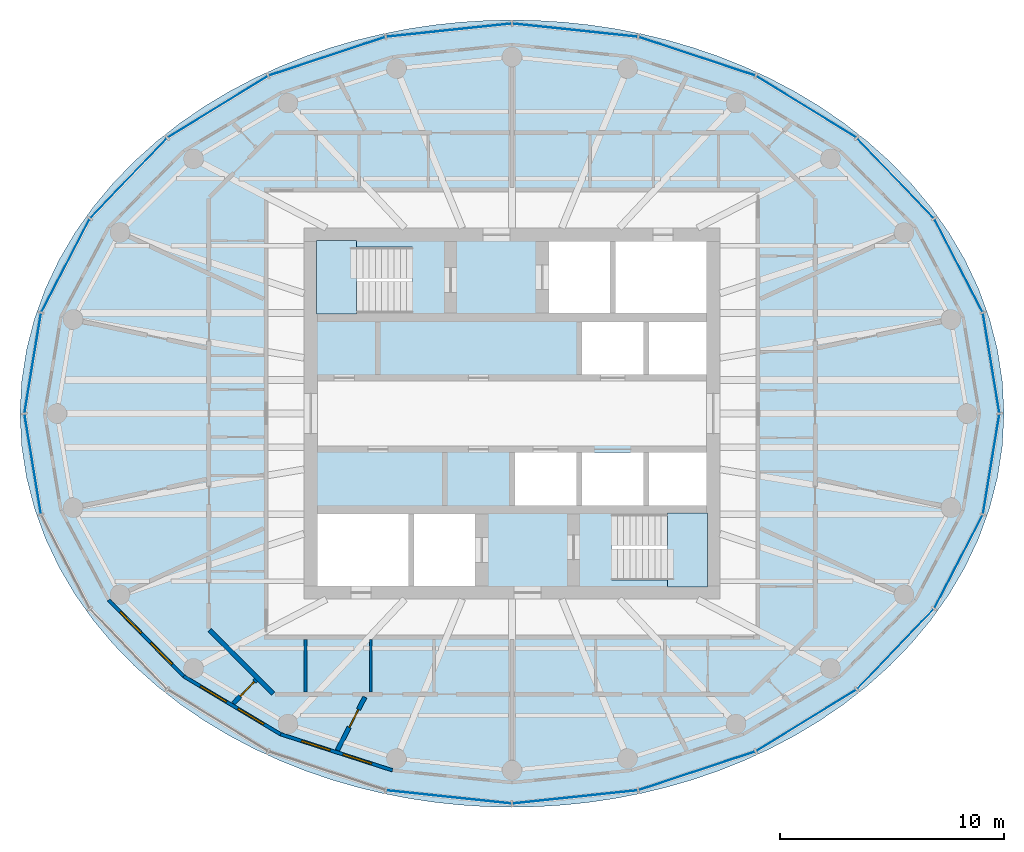
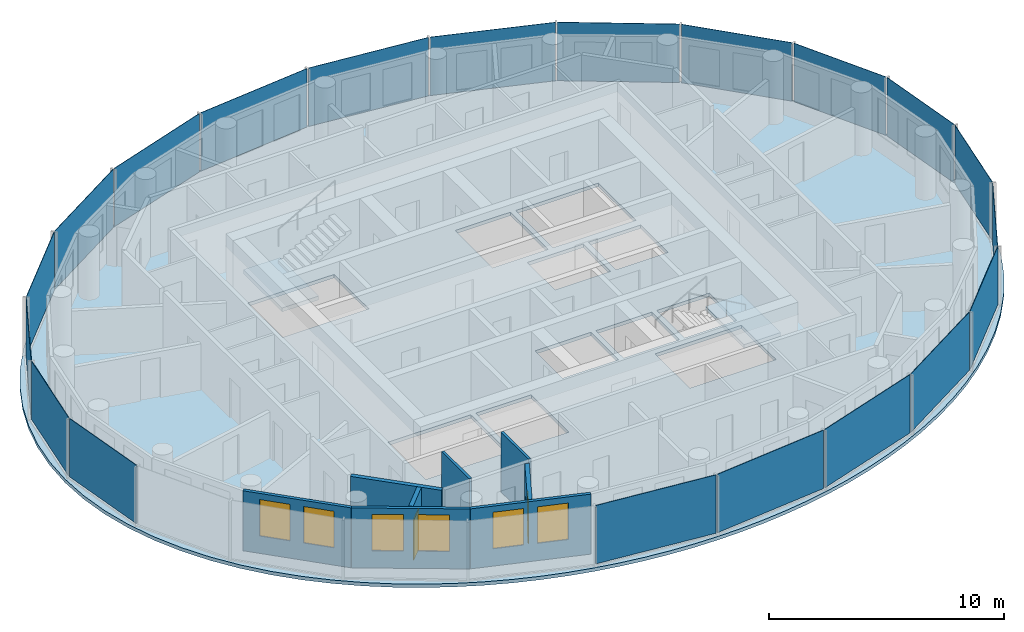
# One storey, part 4 of 11: 20 plates, 8 walls, 6 windows, 3 slabs, 2 doors, 8 openings, 6 elements without a shape of their own.
"""IFC4 building model written with IfcOpenShell, lengths in metres."""

from ifc_helpers import new_model, si_unit, direction, frame, frame_2d, origin, origin_2d, place, context, subcontext, project, spatial, polyline, rectangle, outline, extrude, material, layer, layer_set, type_object, element, fill, aggregate, save


model = new_model("IFC4")

# Units and contexts
model_context = context("Model", 3, precision=1e-05, world=origin(), true_north=direction((0.0, 1.0)))
body_context = subcontext(model_context, "Body", "Model", "MODEL_VIEW")
ifc_project = project(units=[si_unit("LENGTHUNIT", "METRE"), si_unit("AREAUNIT", "SQUARE_METRE"), si_unit("VOLUMEUNIT", "CUBIC_METRE"), si_unit("PLANEANGLEUNIT", "RADIAN"), si_unit("MASSUNIT", "GRAM", prefix="KILO")], contexts=[model_context])

# Site, building, storey
site_placement = place(None, origin())
site = spatial("IfcSite", under=ifc_project, at=site_placement, CompositionType="ELEMENT")
building_placement = place(site_placement, origin())
building = spatial("IfcBuilding", under=site, at=building_placement, Name="Hankou Lantern Tower", CompositionType="ELEMENT")
storey_placement = place(building_placement, frame((0.0, 0.0, 225.89990234375)))
storey = spatial("IfcBuildingStorey", under=building, at=storey_placement, Name="L61", CompositionType="ELEMENT", Elevation=225.89990234375)

# Curtain wall, plates
ifc_material_1 = material(Name="Glass, dark grey tinted laminated", Category="glass")
curtain_wall_type = type_object("IfcCurtainWallType", Name="CWD OUTER SKIN SUITE", PredefinedType="USERDEFINED", material=ifc_material_1)
curtain_wall_1_placement = place(storey_placement, origin())
curtain_wall_1 = element("IfcCurtainWall", 1, at=curtain_wall_1_placement, inside=storey, type_object=curtain_wall_type, Name="CWD L61 OS1", ObjectType="OUTER SKIN SUITE", PredefinedType="USERDEFINED")
ifc_material_2 = material(Name="Glass, dark grey tinted laminated", Category="glass")
ifc_layer_1 = layer(ifc_material_2, 0.02392578125)
ifc_layer_set_1 = layer_set([ifc_layer_1], Name="Glass, dark grey tinted laminated")
plate_type = type_object("IfcPlateType", Name="PN1 OUTER SKIN GLASS PANEL", PredefinedType="CURTAIN_PANEL", material=ifc_layer_set_1)
plate_1_placement = place(storey_placement, frame((21.4287109375, 2.2568359375, 0.080078125), z_axis=(0.0, 0.0, 1.0), x_axis=(-0.162381515188, 0.986728049427, 0.0)))
plate_1 = element("IfcPlate", 2, at=plate_1_placement, type_object=plate_type, Name="CWD glass panel 1", PredefinedType="CURTAIN_PANEL", context=body_context, shape_type="SweptSolid", body=[
    extrude(rectangle(XDim=4.49462890625, YDim=0.02392578125, at=origin_2d()), origin(), (0.0, 0.0, 1.0), 3.0400390625),
])
plate_2_placement = place(storey_placement, frame((19.96826171875, 6.616943359375, 0.080078125), z_axis=(0.0, 0.0, 1.0), x_axis=(-0.459791091957, 0.888027112062, 0.0)))
plate_2 = element("IfcPlate", 3, at=plate_2_placement, type_object=plate_type, Name="CWD glass panel 2", PredefinedType="CURTAIN_PANEL", context=body_context, shape_type="SweptSolid", body=[
    extrude(rectangle(XDim=4.656494140625, YDim=0.02392578125, at=origin_2d()), origin(), (0.0, 0.0, 1.0), 3.0400390625),
])
plate_3_placement = place(storey_placement, frame((17.147216796875, 10.52587890625, 0.080078125), z_axis=(0.0, 0.0, 1.0), x_axis=(-0.692215809936, 0.721690565599, 0.0)))
plate_3 = element("IfcPlate", 4, at=plate_3_placement, type_object=plate_type, Name="CWD glass panel 3", PredefinedType="CURTAIN_PANEL", context=body_context, shape_type="SweptSolid", body=[
    extrude(rectangle(XDim=4.9248046875, YDim=0.02392578125, at=origin_2d()), origin(), (0.0, 0.0, 1.0), 3.0400390625),
])
plate_4_placement = place(storey_placement, frame((13.157470703125, 13.7177734375, 0.080078125), z_axis=(0.0, 0.0, 1.0), x_axis=(-0.852237151549, 0.523155653242, 0.0)))
plate_4 = element("IfcPlate", 5, at=plate_4_placement, type_object=plate_type, Name="CWD glass panel 4", PredefinedType="CURTAIN_PANEL", context=body_context, shape_type="SweptSolid", body=[
    extrude(rectangle(XDim=5.2177734375, YDim=0.02392578125, at=origin_2d()), origin(), (0.0, 0.0, 1.0), 3.0400390625),
])
plate_5_placement = place(storey_placement, frame((8.271240234375, 15.974609375, 0.080078125), z_axis=(0.0, 0.0, 1.0), x_axis=(-0.949240677293, 0.31455068999, 0.0)))
plate_5 = element("IfcPlate", 6, at=plate_5_placement, type_object=plate_type, Name="CWD glass panel 5", PredefinedType="CURTAIN_PANEL", context=body_context, shape_type="SweptSolid", body=[
    extrude(rectangle(XDim=5.458984375, YDim=0.02392578125, at=origin_2d()), origin(), (0.0, 0.0, 1.0), 3.0400390625),
])
plate_6_placement = place(storey_placement, frame((2.821044921875, 17.142822265625, 0.080078125), z_axis=(0.0, 0.0, 1.0), x_axis=(-0.994499359107, 0.104742659579, 0.0)))
plate_6 = element("IfcPlate", 7, at=plate_6_placement, type_object=plate_type, Name="CWD glass panel 6", PredefinedType="CURTAIN_PANEL", context=body_context, shape_type="SweptSolid", body=[
    extrude(rectangle(XDim=5.593505859375, YDim=0.02392578125, at=origin_2d()), origin(), (0.0, 0.0, 1.0), 3.0400390625),
])
aggregate(curtain_wall_1, [plate_1, plate_2, plate_3, plate_4, plate_5, plate_6])

curtain_wall_2_placement = place(storey_placement, origin())
curtain_wall_2 = element("IfcCurtainWall", 8, at=curtain_wall_2_placement, inside=storey, type_object=curtain_wall_type, Name="CWD L61 OS2", ObjectType="OUTER SKIN SUITE", PredefinedType="USERDEFINED")
plate_7_placement = place(storey_placement, frame((-2.821044921875, 17.142822265625, 0.080078125), z_axis=(0.0, 0.0, 1.0), x_axis=(-0.994499359107, -0.104742659579, 0.0)))
plate_7 = element("IfcPlate", 9, at=plate_7_placement, type_object=plate_type, Name="CWD glass panel 1", PredefinedType="CURTAIN_PANEL", context=body_context, shape_type="SweptSolid", body=[
    extrude(rectangle(XDim=5.593505859375, YDim=0.02392578125, at=origin_2d()), origin(), (0.0, 0.0, 1.0), 3.0400390625),
])
plate_8_placement = place(storey_placement, frame((-8.271240234375, 15.974609375, 0.080078125), z_axis=(0.0, 0.0, 1.0), x_axis=(-0.949240677293, -0.31455068999, 0.0)))
plate_8 = element("IfcPlate", 10, at=plate_8_placement, type_object=plate_type, Name="CWD glass panel 2", PredefinedType="CURTAIN_PANEL", context=body_context, shape_type="SweptSolid", body=[
    extrude(rectangle(XDim=5.458984375, YDim=0.02392578125, at=origin_2d()), origin(), (0.0, 0.0, 1.0), 3.0400390625),
])
plate_9_placement = place(storey_placement, frame((-13.157470703125, 13.7177734375, 0.080078125), z_axis=(0.0, 0.0, 1.0), x_axis=(-0.852237151549, -0.523155653242, 0.0)))
plate_9 = element("IfcPlate", 11, at=plate_9_placement, type_object=plate_type, Name="CWD glass panel 3", PredefinedType="CURTAIN_PANEL", context=body_context, shape_type="SweptSolid", body=[
    extrude(rectangle(XDim=5.2177734375, YDim=0.02392578125, at=origin_2d()), origin(), (0.0, 0.0, 1.0), 3.0400390625),
])
plate_10_placement = place(storey_placement, frame((-17.147216796875, 10.52587890625, 0.080078125), z_axis=(0.0, 0.0, 1.0), x_axis=(-0.692215809936, -0.721690565599, 0.0)))
plate_10 = element("IfcPlate", 12, at=plate_10_placement, type_object=plate_type, Name="CWD glass panel 4", PredefinedType="CURTAIN_PANEL", context=body_context, shape_type="SweptSolid", body=[
    extrude(rectangle(XDim=4.9248046875, YDim=0.02392578125, at=origin_2d()), origin(), (0.0, 0.0, 1.0), 3.0400390625),
])
plate_11_placement = place(storey_placement, frame((-19.96826171875, 6.616943359375, 0.080078125), z_axis=(0.0, 0.0, 1.0), x_axis=(-0.459791091957, -0.888027112062, 0.0)))
plate_11 = element("IfcPlate", 13, at=plate_11_placement, type_object=plate_type, Name="CWD glass panel 5", PredefinedType="CURTAIN_PANEL", context=body_context, shape_type="SweptSolid", body=[
    extrude(rectangle(XDim=4.656494140625, YDim=0.02392578125, at=origin_2d()), origin(), (0.0, 0.0, 1.0), 3.0400390625),
])
plate_12_placement = place(storey_placement, frame((-21.4287109375, 2.2568359375, 0.080078125), z_axis=(0.0, 0.0, 1.0), x_axis=(-0.162381515188, -0.986728049427, 0.0)))
plate_12 = element("IfcPlate", 14, at=plate_12_placement, type_object=plate_type, Name="CWD glass panel 6", PredefinedType="CURTAIN_PANEL", context=body_context, shape_type="SweptSolid", body=[
    extrude(rectangle(XDim=4.49462890625, YDim=0.02392578125, at=origin_2d()), origin(), (0.0, 0.0, 1.0), 3.0400390625),
])
aggregate(curtain_wall_2, [plate_7, plate_8, plate_9, plate_10, plate_11, plate_12])

curtain_wall_3_placement = place(storey_placement, origin())
curtain_wall_3 = element("IfcCurtainWall", 15, at=curtain_wall_3_placement, inside=storey, type_object=curtain_wall_type, Name="CWD L61 OS3", ObjectType="OUTER SKIN SUITE", PredefinedType="USERDEFINED")
plate_13_placement = place(storey_placement, frame((-21.4287109375, -2.2568359375, 0.080078125), z_axis=(0.0, 0.0, 1.0), x_axis=(0.162381515188, -0.986728049427, 0.0)))
plate_13 = element("IfcPlate", 16, at=plate_13_placement, type_object=plate_type, Name="CWD glass panel 1", PredefinedType="CURTAIN_PANEL", context=body_context, shape_type="SweptSolid", body=[
    extrude(rectangle(XDim=4.49462890625, YDim=0.02392578125, at=origin_2d()), origin(), (0.0, 0.0, 1.0), 3.0400390625),
])
plate_14_placement = place(storey_placement, frame((-2.821044921875, -17.142822265625, 0.080078125), z_axis=(0.0, 0.0, 1.0), x_axis=(0.994499359107, -0.104742659579, 0.0)))
plate_14 = element("IfcPlate", 17, at=plate_14_placement, type_object=plate_type, Name="CWD glass panel 6", PredefinedType="CURTAIN_PANEL", context=body_context, shape_type="SweptSolid", body=[
    extrude(rectangle(XDim=5.593505859375, YDim=0.02392578125, at=origin_2d()), origin(), (0.0, 0.0, 1.0), 3.0400390625),
])
aggregate(curtain_wall_3, [plate_13, plate_14])

curtain_wall_4_placement = place(storey_placement, origin())
curtain_wall_4 = element("IfcCurtainWall", 18, at=curtain_wall_4_placement, inside=storey, type_object=curtain_wall_type, Name="CWD L61 OS4", ObjectType="OUTER SKIN SUITE", PredefinedType="USERDEFINED")
plate_15_placement = place(storey_placement, frame((2.821044921875, -17.142822265625, 0.080078125), z_axis=(0.0, 0.0, 1.0), x_axis=(0.994499359107, 0.104742659579, 0.0)))
plate_15 = element("IfcPlate", 19, at=plate_15_placement, type_object=plate_type, Name="CWD glass panel 1", PredefinedType="CURTAIN_PANEL", context=body_context, shape_type="SweptSolid", body=[
    extrude(rectangle(XDim=5.593505859375, YDim=0.02392578125, at=origin_2d()), origin(), (0.0, 0.0, 1.0), 3.0400390625),
])
plate_16_placement = place(storey_placement, frame((8.271240234375, -15.974609375, 0.080078125), z_axis=(0.0, 0.0, 1.0), x_axis=(0.949240677293, 0.31455068999, 0.0)))
plate_16 = element("IfcPlate", 20, at=plate_16_placement, type_object=plate_type, Name="CWD glass panel 2", PredefinedType="CURTAIN_PANEL", context=body_context, shape_type="SweptSolid", body=[
    extrude(rectangle(XDim=5.458984375, YDim=0.02392578125, at=origin_2d()), origin(), (0.0, 0.0, 1.0), 3.0400390625),
])
plate_17_placement = place(storey_placement, frame((13.157470703125, -13.7177734375, 0.080078125), z_axis=(0.0, 0.0, 1.0), x_axis=(0.852237151549, 0.523155653242, 0.0)))
plate_17 = element("IfcPlate", 21, at=plate_17_placement, type_object=plate_type, Name="CWD glass panel 3", PredefinedType="CURTAIN_PANEL", context=body_context, shape_type="SweptSolid", body=[
    extrude(rectangle(XDim=5.2177734375, YDim=0.02392578125, at=origin_2d()), origin(), (0.0, 0.0, 1.0), 3.0400390625),
])
plate_18_placement = place(storey_placement, frame((17.147216796875, -10.52587890625, 0.080078125), z_axis=(0.0, 0.0, 1.0), x_axis=(0.692215809936, 0.721690565599, 0.0)))
plate_18 = element("IfcPlate", 22, at=plate_18_placement, type_object=plate_type, Name="CWD glass panel 4", PredefinedType="CURTAIN_PANEL", context=body_context, shape_type="SweptSolid", body=[
    extrude(rectangle(XDim=4.9248046875, YDim=0.02392578125, at=origin_2d()), origin(), (0.0, 0.0, 1.0), 3.0400390625),
])
plate_19_placement = place(storey_placement, frame((19.96826171875, -6.616943359375, 0.080078125), z_axis=(0.0, 0.0, 1.0), x_axis=(0.459791091957, 0.888027112062, 0.0)))
plate_19 = element("IfcPlate", 23, at=plate_19_placement, type_object=plate_type, Name="CWD glass panel 5", PredefinedType="CURTAIN_PANEL", context=body_context, shape_type="SweptSolid", body=[
    extrude(rectangle(XDim=4.656494140625, YDim=0.02392578125, at=origin_2d()), origin(), (0.0, 0.0, 1.0), 3.0400390625),
])
plate_20_placement = place(storey_placement, frame((21.4287109375, -2.2568359375, 0.080078125), z_axis=(0.0, 0.0, 1.0), x_axis=(0.162381515188, 0.986728049427, 0.0)))
plate_20 = element("IfcPlate", 24, at=plate_20_placement, type_object=plate_type, Name="CWD glass panel 6", PredefinedType="CURTAIN_PANEL", context=body_context, shape_type="SweptSolid", body=[
    extrude(rectangle(XDim=4.49462890625, YDim=0.02392578125, at=origin_2d()), origin(), (0.0, 0.0, 1.0), 3.0400390625),
])
aggregate(curtain_wall_4, [plate_15, plate_16, plate_17, plate_18, plate_19, plate_20])

# Slab
ifc_material_3 = material(Name="Concrete C50", Category="concrete")
ifc_layer_2 = layer(ifc_material_3, 0.179931640625)
ifc_layer_set_2 = layer_set([ifc_layer_2], Name="Concrete C50")
slab_type_1 = type_object("IfcSlabType", Name="S1 CONCRETE FLOOR SLAB 180", PredefinedType="FLOOR", material=ifc_layer_set_2)
slab_1_placement = place(storey_placement, frame((0.0, 0.0, -0.179931640625)))
element("IfcSlab", 25, at=slab_1_placement, inside=storey, type_object=slab_type_1, Name="Floor slab L61", PredefinedType="FLOOR", context=body_context, shape_type="SweptSolid", body=[
    extrude(outline(polyline([(22.0, 0.0), (21.926513671875, 1.437255859375), (21.7080078125, 2.85791015625), (21.349853515625, 4.246826171875), (20.861083984375, 5.589599609375), (20.252197265625, 6.874755859375), (19.53662109375, 8.09228515625), (18.727783203125, 9.235595703125), (17.83935546875, 10.299560546875), (16.88525390625, 11.2822265625), (15.877197265625, 12.18310546875), (14.82666015625, 13.002685546875), (13.743408203125, 13.743408203125), (12.63525390625, 14.40771484375), (11.509521484375, 14.999267578125), (10.37109375, 15.521728515625), (9.224853515625, 15.97802734375), (8.07373046875, 16.3720703125), (6.920166015625, 16.70654296875), (5.765625, 16.98486328125), (4.611083984375, 17.208984375), (3.457275390625, 17.38134765625), (2.304443359375, 17.503173828125), (1.152099609375, 17.575927734375), (0.0, 17.60009765625), (-1.152099609375, 17.575927734375), (-2.304443359375, 17.503173828125), (-3.457275390625, 17.38134765625), (-4.611083984375, 17.208984375), (-5.765625, 16.98486328125), (-6.920166015625, 16.70654296875), (-8.07373046875, 16.3720703125), (-9.224853515625, 15.97802734375), (-10.37109375, 15.521728515625), (-11.509521484375, 14.999267578125), (-12.63525390625, 14.40771484375), (-13.743408203125, 13.743408203125), (-14.82666015625, 13.002685546875), (-15.877197265625, 12.18310546875), (-16.88525390625, 11.2822265625), (-17.83935546875, 10.299560546875), (-18.727783203125, 9.235595703125), (-19.53662109375, 8.09228515625), (-20.252197265625, 6.874755859375), (-20.861083984375, 5.589599609375), (-21.349853515625, 4.246826171875), (-21.7080078125, 2.85791015625), (-21.926513671875, 1.437255859375), (-22.0, 0.0), (-21.926513671875, -1.437255859375), (-21.7080078125, -2.85791015625), (-21.349853515625, -4.246826171875), (-20.861083984375, -5.589599609375), (-20.252197265625, -6.874755859375), (-19.53662109375, -8.09228515625), (-18.727783203125, -9.235595703125), (-17.83935546875, -10.299560546875), (-16.88525390625, -11.2822265625), (-15.877197265625, -12.18310546875), (-14.82666015625, -13.002685546875), (-13.743408203125, -13.743408203125), (-12.63525390625, -14.40771484375), (-11.509521484375, -14.999267578125), (-10.37109375, -15.521728515625), (-9.224853515625, -15.97802734375), (-8.07373046875, -16.3720703125), (-6.920166015625, -16.70654296875), (-5.765625, -16.98486328125), (-4.611083984375, -17.208984375), (-3.457275390625, -17.38134765625), (-2.304443359375, -17.503173828125), (-1.152099609375, -17.575927734375), (0.0, -17.60009765625), (1.152099609375, -17.575927734375), (2.304443359375, -17.503173828125), (3.457275390625, -17.38134765625), (4.611083984375, -17.208984375), (5.765625, -16.98486328125), (6.920166015625, -16.70654296875), (8.07373046875, -16.3720703125), (9.224853515625, -15.97802734375), (10.37109375, -15.521728515625), (11.509521484375, -14.999267578125), (12.63525390625, -14.40771484375), (13.743408203125, -13.743408203125), (14.82666015625, -13.002685546875), (15.877197265625, -12.18310546875), (16.88525390625, -11.2822265625), (17.83935546875, -10.299560546875), (18.727783203125, -9.235595703125), (19.53662109375, -8.09228515625), (20.252197265625, -6.874755859375), (20.861083984375, -5.589599609375), (21.349853515625, -4.246826171875), (21.7080078125, -2.85791015625), (21.926513671875, -1.437255859375), (22.0, 0.0)]), holes=[polyline([(3.125, 4.10009765625), (5.875, 4.10009765625), (5.875, 1.75), (3.125, 1.75), (3.125, 4.10009765625)]), polyline([(6.125, 4.10009765625), (8.699951171875, 4.10009765625), (8.699951171875, 1.75), (6.125, 1.75), (6.125, 4.10009765625)]), polyline([(0.125, -1.75), (2.875, -1.75), (2.875, -4.10009765625), (0.125, -4.10009765625), (0.125, -1.75)]), polyline([(3.125, -1.75), (5.875, -1.75), (5.875, -4.10009765625), (3.125, -4.10009765625), (3.125, -1.75)]), polyline([(6.125, -1.75), (8.699951171875, -1.75), (8.699951171875, -4.10009765625), (6.125, -4.10009765625), (6.125, -1.75)]), polyline([(1.64990234375, 7.699951171875), (4.375, 7.699951171875), (4.375, 4.5), (1.64990234375, 4.5), (1.64990234375, 7.699951171875)]), polyline([(-4.375, -4.5), (-1.64990234375, -4.5), (-1.64990234375, -7.699951171875), (-4.375, -7.699951171875), (-4.375, -4.5)]), polyline([(-8.699951171875, 7.449951171875), (-4.449951171875, 7.449951171875), (-4.449951171875, 4.5), (-8.699951171875, 4.5), (-8.699951171875, 7.449951171875)]), polyline([(4.449951171875, -4.5), (8.699951171875, -4.5), (8.699951171875, -7.449951171875), (4.449951171875, -7.449951171875), (4.449951171875, -4.5)]), polyline([(4.625, 7.699951171875), (8.699951171875, 7.699951171875), (8.699951171875, 4.5), (4.625, 4.5), (4.625, 7.699951171875)]), polyline([(-8.699951171875, -4.5), (-4.625, -4.5), (-4.625, -7.699951171875), (-8.699951171875, -7.699951171875), (-8.699951171875, -4.5)])]), origin(), (0.0, 0.0, 1.0), 0.179931640625),
])

# Stair, slab
ifc_material_4 = material(Name="Concrete C40", Category="concrete")
stair_type = type_object("IfcStairType", Name="ST33 CORE STAIR 3300 RISE", PredefinedType="HALF_TURN_STAIR", material=ifc_material_4)
stair_1_placement = place(storey_placement, origin())
stair_1 = element("IfcStair", 26, at=stair_1_placement, inside=storey, type_object=stair_type, Name="Stair STA L61", PredefinedType="HALF_TURN_STAIR")
ifc_material_5 = material(Name="Concrete C40", Category="concrete")
ifc_layer_3 = layer(ifc_material_5, 0.199951171875)
ifc_layer_set_3 = layer_set([ifc_layer_3], Name="Concrete C40")
slab_type_2 = type_object("IfcSlabType", Name="SL1 STAIR LANDING 200", PredefinedType="LANDING", material=ifc_layer_set_3)
slab_2_placement = place(storey_placement, frame((0.0, 0.0, 1.37158203125)))
slab_2 = element("IfcSlab", 27, at=slab_2_placement, type_object=slab_type_2, Name="STA landing 1", PredefinedType="LANDING", context=body_context, shape_type="SweptSolid", body=[
    extrude(outline(polyline([(-8.75, 4.449951171875), (-6.949951171875, 4.449951171875), (-6.949951171875, 7.75), (-8.75, 7.75), (-8.75, 4.449951171875)])), origin(), (0.0, 0.0, 1.0), 0.199951171875),
])
aggregate(stair_1, [slab_2])

stair_2_placement = place(storey_placement, origin())
stair_2 = element("IfcStair", 28, at=stair_2_placement, inside=storey, type_object=stair_type, Name="Stair STB L61", PredefinedType="HALF_TURN_STAIR")
slab_3_placement = place(storey_placement, frame((0.0, 0.0, 1.37158203125)))
slab_3 = element("IfcSlab", 29, at=slab_3_placement, type_object=slab_type_2, Name="STB landing 1", PredefinedType="LANDING", context=body_context, shape_type="SweptSolid", body=[
    extrude(outline(polyline([(8.75, -4.449951171875), (6.949951171875, -4.449951171875), (6.949951171875, -7.75), (8.75, -7.75), (8.75, -4.449951171875)])), origin(), (0.0, 0.0, 1.0), 0.199951171875),
])
aggregate(stair_2, [slab_3])

# Wall, openings, windows
ifc_material_6 = material(Name="Aluminium spandrel panel on steel studs", Category="steel")
ifc_layer_4 = layer(ifc_material_6, 0.14990234375)
ifc_layer_set_4 = layer_set([ifc_layer_4], Name="Aluminium spandrel panel on steel studs")
wall_type_1 = type_object("IfcWallType", Name="EW1 INNER SKIN WALL 150", PredefinedType="ELEMENTEDWALL", material=ifc_layer_set_4)
wall_1_placement = place(storey_placement, frame((-18.03955078125, -8.33203125, 0.0), z_axis=(0.0, 0.0, 1.0), x_axis=(0.701527379618, -0.712642501993, 0.0)))
wall_1 = element("IfcWall", 30, at=wall_1_placement, inside=storey, type_object=wall_type_1, Name="Inner skin R15-R16 L61", PredefinedType="ELEMENTEDWALL", context=body_context, shape_type="SweptSolid", body=[
    extrude(rectangle(XDim=4.788330078125, YDim=0.14990234375, at=frame_2d((2.39404296875, 0.0))), origin(), (0.0, 0.0, 1.0), 3.1201171875),
])
opening_1_placement = place(wall_1_placement, frame((0.744140625, 0.0, 0.89990234375)))
opening_1 = element("IfcOpeningElement", 31, at=opening_1_placement, cuts=wall_1, Name="Opening W4", PredefinedType="OPENING", context=body_context, shape_type="SweptSolid", body=[
    extrude(rectangle(XDim=1.35009765625, YDim=1.89990234375, at=frame_2d((0.675048828125, 0.949951171875))), frame((0.0, 0.0849609375, 0.0), z_axis=(0.0, -1.0, 0.0), x_axis=(1.0, 0.0, 0.0)), (0.0, 0.0, 1.0), 0.169921875),
])
opening_2_placement = place(wall_1_placement, frame((2.694091796875, 0.0, 0.89990234375)))
opening_2 = element("IfcOpeningElement", 32, at=opening_2_placement, cuts=wall_1, Name="Opening W4", PredefinedType="OPENING", context=body_context, shape_type="SweptSolid", body=[
    extrude(rectangle(XDim=1.35009765625, YDim=1.89990234375, at=frame_2d((0.675048828125, 0.949951171875))), frame((0.0, 0.0849609375, 0.0), z_axis=(0.0, -1.0, 0.0), x_axis=(1.0, 0.0, 0.0)), (0.0, 0.0, 1.0), 0.169921875),
])
ifc_material_7 = material(Name="Aluminium framed double glazed window", Category="aluminium")
window_type = type_object("IfcWindowType", Name="W4 SUITE WINDOW 1350X1900", PartitioningType="DOUBLE_PANEL_VERTICAL", PredefinedType="WINDOW", material=ifc_material_7)
window_1_placement = place(opening_1_placement, origin())
window_1 = element("IfcWindow", 33, at=window_1_placement, inside=storey, type_object=window_type, Name="Window R15.1 L61", OverallHeight=1.89990234375, OverallWidth=1.35009765625, PartitioningType="SINGLE_PANEL", PredefinedType="WINDOW", context=body_context, shape_type="SweptSolid", body=[
    extrude(rectangle(XDim=1.35009765625, YDim=1.89990234375, at=frame_2d((0.675048828125, 0.949951171875))), frame((0.0, 0.030029296875, 0.0), z_axis=(0.0, -1.0, 0.0), x_axis=(1.0, 0.0, 0.0)), (0.0, 0.0, 1.0), 0.06005859375),
])
fill(opening_1, window_1)
window_2_placement = place(opening_2_placement, origin())
window_2 = element("IfcWindow", 34, at=window_2_placement, inside=storey, type_object=window_type, Name="Window R15.2 L61", OverallHeight=1.89990234375, OverallWidth=1.35009765625, PartitioningType="SINGLE_PANEL", PredefinedType="WINDOW", context=body_context, shape_type="SweptSolid", body=[
    extrude(rectangle(XDim=1.35009765625, YDim=1.89990234375, at=frame_2d((0.675048828125, 0.949951171875))), frame((0.0, 0.030029296875, 0.0), z_axis=(0.0, -1.0, 0.0), x_axis=(1.0, 0.0, 0.0)), (0.0, 0.0, 1.0), 0.06005859375),
])
fill(opening_2, window_2)

wall_2_placement = place(storey_placement, frame((-14.680419921875, -11.744384765625, 0.0), z_axis=(0.0, 0.0, 1.0), x_axis=(0.85822150553, -0.513279502265, 0.0)))
wall_2 = element("IfcWall", 35, at=wall_2_placement, inside=storey, type_object=wall_type_1, Name="Inner skin R16-R17 L61", PredefinedType="ELEMENTEDWALL", context=body_context, shape_type="SweptSolid", body=[
    extrude(rectangle(XDim=5.050048828125, YDim=0.14990234375, at=frame_2d((2.52490234375, 0.0))), origin(), (0.0, 0.0, 1.0), 3.1201171875),
])
opening_3_placement = place(wall_2_placement, frame((0.875, 0.0, 0.89990234375)))
opening_3 = element("IfcOpeningElement", 36, at=opening_3_placement, cuts=wall_2, Name="Opening W4", PredefinedType="OPENING", context=body_context, shape_type="SweptSolid", body=[
    extrude(rectangle(XDim=1.35009765625, YDim=1.89990234375, at=frame_2d((0.675048828125, 0.949951171875))), frame((0.0, 0.0849609375, 0.0), z_axis=(0.0, -1.0, 0.0), x_axis=(1.0, 0.0, 0.0)), (0.0, 0.0, 1.0), 0.169921875),
])
opening_4_placement = place(wall_2_placement, frame((2.824951171875, 0.0, 0.89990234375)))
opening_4 = element("IfcOpeningElement", 37, at=opening_4_placement, cuts=wall_2, Name="Opening W4", PredefinedType="OPENING", context=body_context, shape_type="SweptSolid", body=[
    extrude(rectangle(XDim=1.35009765625, YDim=1.89990234375, at=frame_2d((0.675048828125, 0.949951171875))), frame((0.0, 0.0849609375, 0.0), z_axis=(0.0, -1.0, 0.0), x_axis=(1.0, 0.0, 0.0)), (0.0, 0.0, 1.0), 0.169921875),
])
window_3_placement = place(opening_3_placement, origin())
window_3 = element("IfcWindow", 38, at=window_3_placement, inside=storey, type_object=window_type, Name="Window R16.1 L61", OverallHeight=1.89990234375, OverallWidth=1.35009765625, PartitioningType="SINGLE_PANEL", PredefinedType="WINDOW", context=body_context, shape_type="SweptSolid", body=[
    extrude(rectangle(XDim=1.35009765625, YDim=1.89990234375, at=frame_2d((0.675048828125, 0.949951171875))), frame((0.0, 0.030029296875, 0.0), z_axis=(0.0, -1.0, 0.0), x_axis=(1.0, 0.0, 0.0)), (0.0, 0.0, 1.0), 0.06005859375),
])
fill(opening_3, window_3)
window_4_placement = place(opening_4_placement, origin())
window_4 = element("IfcWindow", 39, at=window_4_placement, inside=storey, type_object=window_type, Name="Window R16.2 L61", OverallHeight=1.89990234375, OverallWidth=1.35009765625, PartitioningType="SINGLE_PANEL", PredefinedType="WINDOW", context=body_context, shape_type="SweptSolid", body=[
    extrude(rectangle(XDim=1.35009765625, YDim=1.89990234375, at=frame_2d((0.675048828125, 0.949951171875))), frame((0.0, 0.030029296875, 0.0), z_axis=(0.0, -1.0, 0.0), x_axis=(1.0, 0.0, 0.0)), (0.0, 0.0, 1.0), 0.06005859375),
])
fill(opening_4, window_4)

wall_3_placement = place(storey_placement, frame((-10.346435546875, -14.33642578125, 0.0), z_axis=(0.0, 0.0, 1.0), x_axis=(0.951644702515, -0.307200846638, 0.0)))
wall_3 = element("IfcWall", 40, at=wall_3_placement, inside=storey, type_object=wall_type_1, Name="Inner skin R17-R18 L61", PredefinedType="ELEMENTEDWALL", context=body_context, shape_type="SweptSolid", body=[
    extrude(rectangle(XDim=5.2578125, YDim=0.14990234375, at=frame_2d((2.62890625, 0.0))), origin(), (0.0, 0.0, 1.0), 3.1201171875),
])
opening_5_placement = place(wall_3_placement, frame((0.97900390625, 0.0, 0.89990234375)))
opening_5 = element("IfcOpeningElement", 41, at=opening_5_placement, cuts=wall_3, Name="Opening W4", PredefinedType="OPENING", context=body_context, shape_type="SweptSolid", body=[
    extrude(rectangle(XDim=1.35009765625, YDim=1.89990234375, at=frame_2d((0.675048828125, 0.949951171875))), frame((0.0, 0.0849609375, 0.0), z_axis=(0.0, -1.0, 0.0), x_axis=(1.0, 0.0, 0.0)), (0.0, 0.0, 1.0), 0.169921875),
])
opening_6_placement = place(wall_3_placement, frame((2.928955078125, 0.0, 0.89990234375)))
opening_6 = element("IfcOpeningElement", 42, at=opening_6_placement, cuts=wall_3, Name="Opening W4", PredefinedType="OPENING", context=body_context, shape_type="SweptSolid", body=[
    extrude(rectangle(XDim=1.35009765625, YDim=1.89990234375, at=frame_2d((0.675048828125, 0.949951171875))), frame((0.0, 0.0849609375, 0.0), z_axis=(0.0, -1.0, 0.0), x_axis=(1.0, 0.0, 0.0)), (0.0, 0.0, 1.0), 0.169921875),
])
window_5_placement = place(opening_5_placement, origin())
window_5 = element("IfcWindow", 43, at=window_5_placement, inside=storey, type_object=window_type, Name="Window R17.1 L61", OverallHeight=1.89990234375, OverallWidth=1.35009765625, PartitioningType="SINGLE_PANEL", PredefinedType="WINDOW", context=body_context, shape_type="SweptSolid", body=[
    extrude(rectangle(XDim=1.35009765625, YDim=1.89990234375, at=frame_2d((0.675048828125, 0.949951171875))), frame((0.0, 0.030029296875, 0.0), z_axis=(0.0, -1.0, 0.0), x_axis=(1.0, 0.0, 0.0)), (0.0, 0.0, 1.0), 0.06005859375),
])
fill(opening_5, window_5)
window_6_placement = place(opening_6_placement, origin())
window_6 = element("IfcWindow", 44, at=window_6_placement, inside=storey, type_object=window_type, Name="Window R17.2 L61", OverallHeight=1.89990234375, OverallWidth=1.35009765625, PartitioningType="SINGLE_PANEL", PredefinedType="WINDOW", context=body_context, shape_type="SweptSolid", body=[
    extrude(rectangle(XDim=1.35009765625, YDim=1.89990234375, at=frame_2d((0.675048828125, 0.949951171875))), frame((0.0, 0.030029296875, 0.0), z_axis=(0.0, -1.0, 0.0), x_axis=(1.0, 0.0, 0.0)), (0.0, 0.0, 1.0), 0.06005859375),
])
fill(opening_6, window_6)

# Walls
ifc_material_8 = material(Name="Masonry lightweight concrete block", Category="masonry")
ifc_layer_5 = layer(ifc_material_8, 0.1201171875)
ifc_layer_set_5 = layer_set([ifc_layer_5], Name="Masonry lightweight concrete block")
wall_type_2 = type_object("IfcWallType", Name="IW3 BATHROOM WALL 120", PredefinedType="PARTITIONING", material=ifc_layer_set_5)
for number, where, z_axis, x_axis, name in (
    (45, (-9.23193359375, -10.10009765625, 0.0), (0.0, 0.0, 1.0), (0.0, -1.0, 0.0), "Box wall 6104 2"),
    (46, (-6.31982421875, -10.10009765625, 0.0), (0.0, 0.0, 1.0), (0.0, -1.0, 0.0), "Box wall 6104 3"),
):
    element("IfcWall", number, at=place(storey_placement, frame(where, z_axis=z_axis, x_axis=x_axis)), inside=storey, type_object=wall_type_2, Name=name, PredefinedType="PARTITIONING", context=body_context, shape_type="SweptSolid", body=[
        extrude(rectangle(XDim=2.349853515625, YDim=0.1201171875, at=frame_2d((1.1748046875, 0.0))), origin(), (0.0, 0.0, 1.0), 3.1201171875),
    ])
ifc_material_9 = material(Name="Masonry lightweight concrete block", Category="masonry")
ifc_layer_6 = layer(ifc_material_9, 0.199951171875)
ifc_layer_set_6 = layer_set([ifc_layer_6], Name="Masonry lightweight concrete block")
wall_type_3 = type_object("IfcWallType", Name="IW6 SUITE PARTITION 200", PredefinedType="PARTITIONING", material=ifc_layer_set_6)
wall_4_placement = place(storey_placement, frame((-13.520751953125, -9.67919921875, 0.0), z_axis=(0.0, 0.0, 1.0), x_axis=(0.707106781187, -0.707106781187, 0.0)))
element("IfcWall", 47, at=wall_4_placement, inside=storey, type_object=wall_type_3, Name="Suite foyer wall 6104", PredefinedType="PARTITIONING", context=body_context, shape_type="SweptSolid", body=[
    extrude(rectangle(XDim=4.0185546875, YDim=0.199951171875, at=frame_2d((2.00927734375, 0.0))), origin(), (0.0, 0.0, 1.0), 3.1201171875),
])

# Wall, opening, door
wall_5_placement = place(storey_placement, frame((-11.44091796875, -11.900390625, 0.0), z_axis=(0.0, 0.0, 1.0), x_axis=(-0.692958717259, -0.720977264672, 0.0)))
wall_5 = element("IfcWall", 48, at=wall_5_placement, inside=storey, type_object=wall_type_3, Name="Suite partition R16-R17", PredefinedType="PARTITIONING", context=body_context, shape_type="SweptSolid", body=[
    extrude(rectangle(XDim=1.4638671875, YDim=0.199951171875, at=frame_2d((0.73193359375, 0.0))), origin(), (0.0, 0.0, 1.0), 3.1201171875),
])
opening_7_placement = place(wall_5_placement, frame((0.1201171875, 0.0, 0.0)))
opening_7 = element("IfcOpeningElement", 49, at=opening_7_placement, cuts=wall_5, Name="Opening D27", PredefinedType="OPENING", context=body_context, shape_type="SweptSolid", body=[
    extrude(rectangle(XDim=0.89990234375, YDim=2.10009765625, at=frame_2d((0.449951171875, 1.050048828125))), frame((0.0, 0.10986328125, 0.0), z_axis=(0.0, -1.0, 0.0), x_axis=(1.0, 0.0, 0.0)), (0.0, 0.0, 1.0), 0.219970703125),
])
ifc_material_10 = material(Name="Timber door leaf", Category="wood")
door_type = type_object("IfcDoorType", Name="D27 INTERNAL DOOR 900X2100", OperationType="SINGLE_SWING_LEFT", PredefinedType="DOOR", material=ifc_material_10)
door_1_placement = place(opening_7_placement, origin())
door_1 = element("IfcDoor", 50, at=door_1_placement, inside=storey, type_object=door_type, Name="Corner suite 6104 dining room door", OperationType="SINGLE_SWING_LEFT", OverallHeight=2.10009765625, OverallWidth=0.89990234375, PredefinedType="DOOR", context=body_context, shape_type="SweptSolid", body=[
    extrude(rectangle(XDim=0.89990234375, YDim=2.10009765625, at=frame_2d((0.449951171875, 1.050048828125))), frame((0.0, 0.02490234375, 0.0), z_axis=(0.0, -1.0, 0.0), x_axis=(1.0, 0.0, 0.0)), (0.0, 0.0, 1.0), 0.050048828125),
])
fill(opening_7, door_1)

wall_6_placement = place(storey_placement, frame((-6.578125, -12.676513671875, 0.0), z_axis=(0.0, 0.0, 1.0), x_axis=(-0.460620531465, -0.887597164255, 0.0)))
wall_6 = element("IfcWall", 51, at=wall_6_placement, inside=storey, type_object=wall_type_3, Name="Suite partition R17-R18", PredefinedType="PARTITIONING", context=body_context, shape_type="SweptSolid", body=[
    extrude(rectangle(XDim=2.677734375, YDim=0.199951171875, at=frame_2d((1.3388671875, 0.0))), origin(), (0.0, 0.0, 1.0), 3.1201171875),
])
opening_8_placement = place(wall_6_placement, frame((0.6201171875, 0.0, 0.0)))
opening_8 = element("IfcOpeningElement", 52, at=opening_8_placement, cuts=wall_6, Name="Opening D27", PredefinedType="OPENING", context=body_context, shape_type="SweptSolid", body=[
    extrude(rectangle(XDim=0.89990234375, YDim=2.10009765625, at=frame_2d((0.449951171875, 1.050048828125))), frame((0.0, 0.10986328125, 0.0), z_axis=(0.0, -1.0, 0.0), x_axis=(1.0, 0.0, 0.0)), (0.0, 0.0, 1.0), 0.219970703125),
])
door_2_placement = place(opening_8_placement, origin())
door_2 = element("IfcDoor", 53, at=door_2_placement, inside=storey, type_object=door_type, Name="Corner suite 6104 bedroom door", OperationType="SINGLE_SWING_LEFT", OverallHeight=2.10009765625, OverallWidth=0.89990234375, PredefinedType="DOOR", context=body_context, shape_type="SweptSolid", body=[
    extrude(rectangle(XDim=0.89990234375, YDim=2.10009765625, at=frame_2d((0.449951171875, 1.050048828125))), frame((0.0, 0.02490234375, 0.0), z_axis=(0.0, -1.0, 0.0), x_axis=(1.0, 0.0, 0.0)), (0.0, 0.0, 1.0), 0.050048828125),
])
fill(opening_8, door_2)

save(model, "model.ifc")
